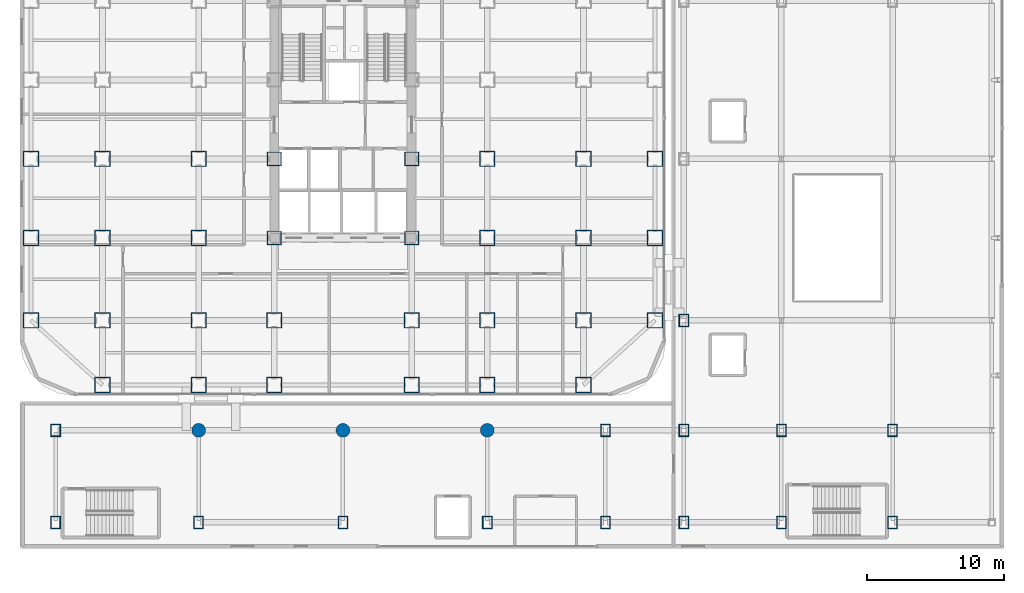
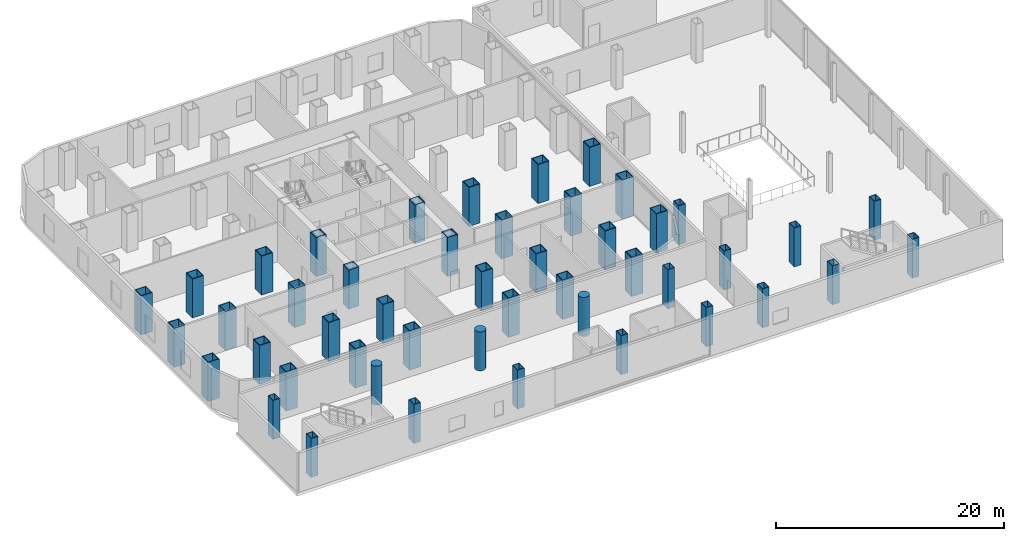
# One storey, part 1 of 26: 47 columns.
"""IFC4 building model written with IfcOpenShell, lengths in metres."""

from ifc_helpers import new_model, si_unit, direction, frame, origin, origin_2d, place, context, subcontext, project, spatial, hollow_rectangle, circle, extrude, source, transform, mapped, material, material_profile, profile_set, type_object, element, save


model = new_model("IFC4")

# Units and contexts
model_context = context("Model", 3, precision=1e-05, world=origin(), true_north=direction((0.0, 1.0)))
body_context = subcontext(model_context, "Body", "Model", "MODEL_VIEW")
ifc_project = project(units=[si_unit("LENGTHUNIT", "METRE"), si_unit("AREAUNIT", "SQUARE_METRE"), si_unit("VOLUMEUNIT", "CUBIC_METRE"), si_unit("PLANEANGLEUNIT", "RADIAN"), si_unit("MASSUNIT", "GRAM", prefix="KILO")], contexts=[model_context])

# Site, building, storey
site_placement = place(None, origin())
site = spatial("IfcSite", under=ifc_project, at=site_placement, CompositionType="ELEMENT")
building_placement = place(site_placement, origin())
building = spatial("IfcBuilding", under=site, at=building_placement, Name="Kolveth Station Tower", CompositionType="ELEMENT")
storey_placement = place(building_placement, frame((0.0, 0.0, 9.0)))
storey = spatial("IfcBuildingStorey", under=building, at=storey_placement, Name="L02", CompositionType="ELEMENT", Elevation=9.0)

# Columns
ifc_material_1 = material(Name="Steel S460", Category="steel")
ifc_material_profile_1 = material_profile(ifc_material_1, hollow_rectangle(XDim=1.139892578125, YDim=1.139892578125, WallThickness=0.070068359375, at=origin_2d()), Name="BOX1140x1140x70")
ifc_profile_set_1 = profile_set([ifc_material_profile_1], Name="Steel S460")
column_type_1 = type_object("IfcColumnType", Name="Col_C1", PredefinedType="COLUMN", material=ifc_profile_set_1)
shared_shape_1 = source(origin(), body_context, "Body", "SweptSolid", [
    extrude(hollow_rectangle(XDim=1.139892578125, YDim=1.139892578125, WallThickness=0.070068359375, at=origin_2d()), origin(), (0.0, 0.0, 1.0), 4.179931640625),
])
for number, where, z_axis, x_axis, name in (
    (1, (6.0, 0.800048828125, 0.0), (0.0, 0.0, 1.0), (1.0, 0.0, 0.0), "L02 Tower Column S-X60"),
    (2, (13.0, 0.800048828125, 0.0), (0.0, 0.0, 1.0), (1.0, 0.0, 0.0), "L02 Tower Column S-X130"),
    (3, (18.5, 0.800048828125, 0.0), (0.0, 0.0, 1.0), (1.0, 0.0, 0.0), "L02 Tower Column S-X185"),
    (4, (28.5, 0.800048828125, 0.0), (0.0, 0.0, 1.0), (1.0, 0.0, 0.0), "L02 Tower Column S-X285"),
    (5, (34.0, 0.800048828125, 0.0), (0.0, 0.0, 1.0), (1.0, 0.0, 0.0), "L02 Tower Column S-X340"),
    (6, (41.0, 0.800048828125, 0.0), (0.0, 0.0, 1.0), (1.0, 0.0, 0.0), "L02 Tower Column S-X410"),
    (7, (0.800048828125, 5.5, 0.0), (0.0, 0.0, 1.0), (1.0, 0.0, 0.0), "L02 Tower Column W-Y55"),
    (8, (46.199951171875, 5.5, 0.0), (0.0, 0.0, 1.0), (1.0, 0.0, 0.0), "L02 Tower Column E-Y55"),
    (9, (0.800048828125, 11.5, 0.0), (0.0, 0.0, 1.0), (1.0, 0.0, 0.0), "L02 Tower Column W-Y115"),
    (10, (46.199951171875, 11.5, 0.0), (0.0, 0.0, 1.0), (1.0, 0.0, 0.0), "L02 Tower Column E-Y115"),
    (11, (0.800048828125, 17.25, 0.0), (0.0, 0.0, 1.0), (1.0, 0.0, 0.0), "L02 Tower Column W-Y172"),
    (12, (46.199951171875, 17.25, 0.0), (0.0, 0.0, 1.0), (1.0, 0.0, 0.0), "L02 Tower Column E-Y172"),
    (13, (6.0, 5.5, 0.0), (0.0, 0.0, 1.0), (1.0, 0.0, 0.0), "L02 Tower Column G-60-55"),
    (14, (6.0, 11.5, 0.0), (0.0, 0.0, 1.0), (1.0, 0.0, 0.0), "L02 Tower Column G-60-115"),
    (15, (6.0, 17.25, 0.0), (0.0, 0.0, 1.0), (1.0, 0.0, 0.0), "L02 Tower Column G-60-172"),
    (16, (13.0, 5.5, 0.0), (0.0, 0.0, 1.0), (1.0, 0.0, 0.0), "L02 Tower Column G-130-55"),
    (17, (13.0, 11.5, 0.0), (0.0, 0.0, 1.0), (1.0, 0.0, 0.0), "L02 Tower Column G-130-115"),
    (18, (13.0, 17.25, 0.0), (0.0, 0.0, 1.0), (1.0, 0.0, 0.0), "L02 Tower Column G-130-172"),
    (19, (18.5, 5.5, 0.0), (0.0, 0.0, 1.0), (1.0, 0.0, 0.0), "L02 Tower Column G-185-55"),
    (20, (28.5, 5.5, 0.0), (0.0, 0.0, 1.0), (1.0, 0.0, 0.0), "L02 Tower Column G-285-55"),
    (21, (34.0, 5.5, 0.0), (0.0, 0.0, 1.0), (1.0, 0.0, 0.0), "L02 Tower Column G-340-55"),
    (22, (34.0, 11.5, 0.0), (0.0, 0.0, 1.0), (1.0, 0.0, 0.0), "L02 Tower Column G-340-115"),
    (23, (34.0, 17.25, 0.0), (0.0, 0.0, 1.0), (1.0, 0.0, 0.0), "L02 Tower Column G-340-172"),
    (24, (41.0, 5.5, 0.0), (0.0, 0.0, 1.0), (1.0, 0.0, 0.0), "L02 Tower Column G-410-55"),
    (25, (41.0, 11.5, 0.0), (0.0, 0.0, 1.0), (1.0, 0.0, 0.0), "L02 Tower Column G-410-115"),
    (26, (41.0, 17.25, 0.0), (0.0, 0.0, 1.0), (1.0, 0.0, 0.0), "L02 Tower Column G-410-172"),
):
    element("IfcColumn", number, at=place(storey_placement, frame(where, z_axis=z_axis, x_axis=x_axis)), inside=storey, type_object=column_type_1, Name=name, PredefinedType="COLUMN", context=body_context, shape_type="MappedRepresentation", body=[
        mapped(shared_shape_1, transform((0.0, 0.0, 0.0), x_axis=(1.0, 0.0, 0.0), y_axis=(0.0, 1.0, 0.0), z_axis=(0.0, 0.0, 1.0), scale=1.0)),
    ])
ifc_material_profile_2 = material_profile(ifc_material_1, hollow_rectangle(XDim=1.0400390625, YDim=1.0400390625, WallThickness=0.06494140625, at=origin_2d()), Name="BOX1040x1040x65")
ifc_profile_set_2 = profile_set([ifc_material_profile_2], Name="Steel S460")
column_type_2 = type_object("IfcColumnType", Name="Col_C2", PredefinedType="COLUMN", material=ifc_profile_set_2)
shared_shape_2 = source(origin(), body_context, "Body", "SweptSolid", [
    extrude(hollow_rectangle(XDim=1.0400390625, YDim=1.0400390625, WallThickness=0.06494140625, at=origin_2d()), origin(), (0.0, 0.0, 1.0), 4.179931640625),
])
for number, where, z_axis, x_axis, name in (
    (27, (18.5, 11.5, 0.0), (0.0, 0.0, 1.0), (1.0, 0.0, 0.0), "L02 Tower Column G-185-115"),
    (28, (18.5, 17.25, 0.0), (0.0, 0.0, 1.0), (1.0, 0.0, 0.0), "L02 Tower Column G-185-172"),
    (29, (28.5, 11.5, 0.0), (0.0, 0.0, 1.0), (1.0, 0.0, 0.0), "L02 Tower Column G-285-115"),
    (30, (28.5, 17.25, 0.0), (0.0, 0.0, 1.0), (1.0, 0.0, 0.0), "L02 Tower Column G-285-172"),
):
    element("IfcColumn", number, at=place(storey_placement, frame(where, z_axis=z_axis, x_axis=x_axis)), inside=storey, type_object=column_type_2, Name=name, PredefinedType="COLUMN", context=body_context, shape_type="MappedRepresentation", body=[
        mapped(shared_shape_2, transform((0.0, 0.0, 0.0), x_axis=(1.0, 0.0, 0.0), y_axis=(0.0, 1.0, 0.0), z_axis=(0.0, 0.0, 1.0), scale=1.0)),
    ])
ifc_material_2 = material(Name="Steel S355", Category="steel")
ifc_material_profile_3 = material_profile(ifc_material_2, hollow_rectangle(XDim=0.699951171875, YDim=0.89990234375, WallThickness=0.0400390625, at=origin_2d()), Name="BOX900x700x40")
ifc_profile_set_3 = profile_set([ifc_material_profile_3], Name="Steel S355")
column_type_3 = type_object("IfcColumnType", Name="Col_SC1", PredefinedType="COLUMN", material=ifc_profile_set_3)
shared_shape_3 = source(origin(), body_context, "Body", "SweptSolid", [
    extrude(hollow_rectangle(XDim=0.699951171875, YDim=0.89990234375, WallThickness=0.0400390625, at=origin_2d()), origin(), (0.0, 0.0, 1.0), 4.179931640625),
])
for number, where, z_axis, x_axis, name in (
    (31, (2.60009765625, -9.199951171875, 0.0), (0.0, 0.0, 1.0), (1.0, 0.0, 0.0), "L02 Station Column SS-A1"),
    (32, (2.60009765625, -2.5, 0.0), (0.0, 0.0, 1.0), (1.0, 0.0, 0.0), "L02 Station Column SS-B1"),
    (33, (13.0, -9.199951171875, 0.0), (0.0, 0.0, 1.0), (1.0, 0.0, 0.0), "L02 Station Column SS-A2"),
    (34, (23.5, -9.199951171875, 0.0), (0.0, 0.0, 1.0), (1.0, 0.0, 0.0), "L02 Station Column SS-A3"),
    (35, (34.0, -9.199951171875, 0.0), (0.0, 0.0, 1.0), (1.0, 0.0, 0.0), "L02 Station Column SS-A4"),
    (36, (42.60009765625, -9.199951171875, 0.0), (0.0, 0.0, 1.0), (1.0, 0.0, 0.0), "L02 Station Column SS-A5"),
    (37, (42.60009765625, -2.5, 0.0), (0.0, 0.0, 1.0), (1.0, 0.0, 0.0), "L02 Station Column SS-B5"),
    (38, (48.300048828125, -9.199951171875, 0.0), (0.0, 0.0, 1.0), (1.0, 0.0, 0.0), "L02 Station Column SE-1-1"),
    (39, (48.300048828125, -2.5, 0.0), (0.0, 0.0, 1.0), (1.0, 0.0, 0.0), "L02 Station Column SE-1-2"),
    (40, (48.300048828125, 5.5, 0.0), (0.0, 0.0, 1.0), (1.0, 0.0, 0.0), "L02 Station Column SE-1-3"),
    (41, (55.39990234375, -9.199951171875, 0.0), (0.0, 0.0, 1.0), (1.0, 0.0, 0.0), "L02 Station Column SE-2-1"),
    (42, (55.39990234375, -2.5, 0.0), (0.0, 0.0, 1.0), (1.0, 0.0, 0.0), "L02 Station Column SE-2-2"),
    (43, (63.5, -9.199951171875, 0.0), (0.0, 0.0, 1.0), (1.0, 0.0, 0.0), "L02 Station Column SE-3-1"),
    (44, (63.5, -2.5, 0.0), (0.0, 0.0, 1.0), (1.0, 0.0, 0.0), "L02 Station Column SE-3-2"),
):
    element("IfcColumn", number, at=place(storey_placement, frame(where, z_axis=z_axis, x_axis=x_axis)), inside=storey, type_object=column_type_3, Name=name, PredefinedType="COLUMN", context=body_context, shape_type="MappedRepresentation", body=[
        mapped(shared_shape_3, transform((0.0, 0.0, 0.0), x_axis=(1.0, 0.0, 0.0), y_axis=(0.0, 1.0, 0.0), z_axis=(0.0, 0.0, 1.0), scale=1.0)),
    ])
ifc_material_3 = material(Name="Concrete C50/60", Category="concrete")
ifc_material_profile_4 = material_profile(ifc_material_3, circle(Radius=0.5, at=origin_2d()), Name="RC-D1000")
ifc_profile_set_4 = profile_set([ifc_material_profile_4], Name="Concrete C50/60")
column_type_4 = type_object("IfcColumnType", Name="Col_CC1", PredefinedType="COLUMN", material=ifc_profile_set_4)
shared_shape_4 = source(origin(), body_context, "Body", "SweptSolid", [
    extrude(circle(Radius=0.5, at=origin_2d()), origin(), (0.0, 0.0, 1.0), 4.179931640625),
])
for number, where, z_axis, x_axis, name in (
    (45, (13.0, -2.5, 0.0), (0.0, 0.0, 1.0), (1.0, 0.0, 0.0), "L02 Station Column SS-B2"),
    (46, (23.5, -2.5, 0.0), (0.0, 0.0, 1.0), (1.0, 0.0, 0.0), "L02 Station Column SS-B3"),
    (47, (34.0, -2.5, 0.0), (0.0, 0.0, 1.0), (1.0, 0.0, 0.0), "L02 Station Column SS-B4"),
):
    element("IfcColumn", number, at=place(storey_placement, frame(where, z_axis=z_axis, x_axis=x_axis)), inside=storey, type_object=column_type_4, Name=name, PredefinedType="COLUMN", context=body_context, shape_type="MappedRepresentation", body=[
        mapped(shared_shape_4, transform((0.0, 0.0, 0.0), x_axis=(1.0, 0.0, 0.0), y_axis=(0.0, 1.0, 0.0), z_axis=(0.0, 0.0, 1.0), scale=1.0)),
    ])

save(model, "model.ifc")
